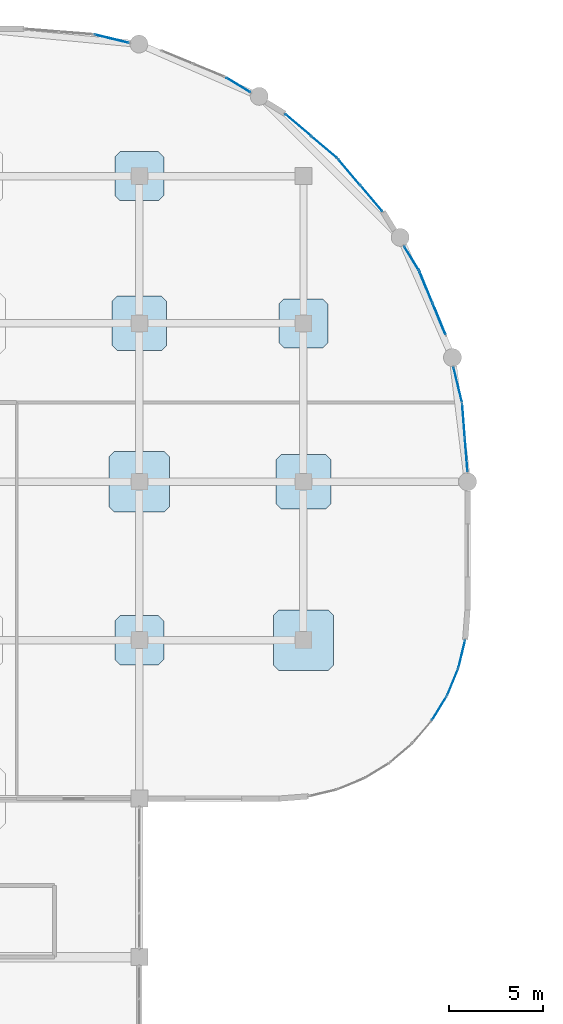
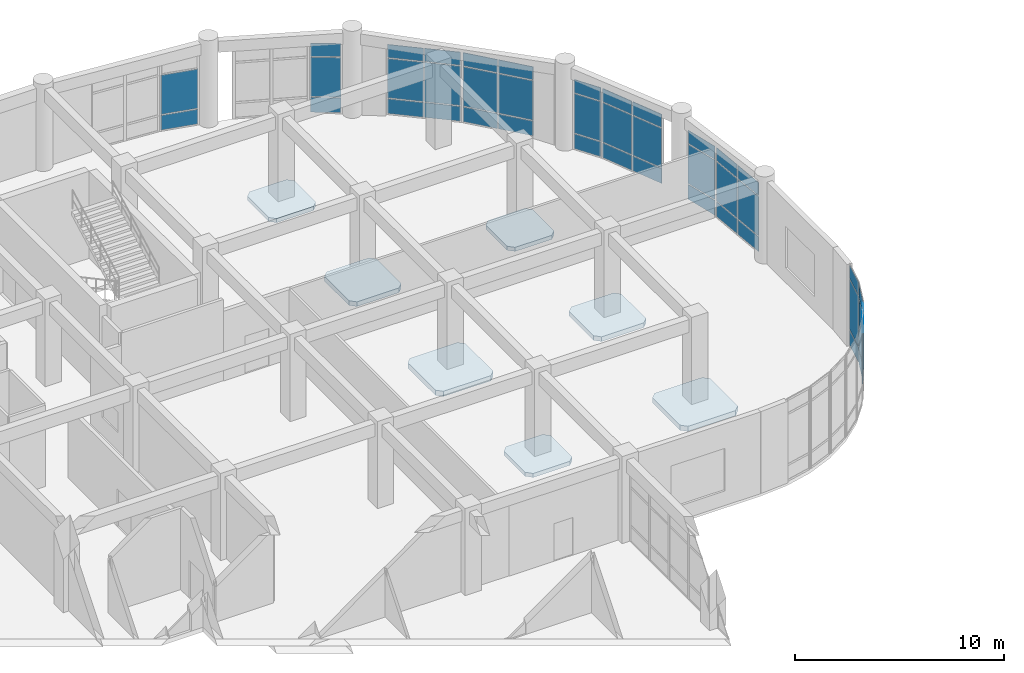
# One storey, part 97 of 120: 43 plates, 7 slabs, 11 elements without a shape of their own.
"""IFC4 building model written with IfcOpenShell, lengths in metres."""

import ifcopenshell
import ifcopenshell.guid

model = None  # the IFC model being written
_history = None  # IfcOwnerHistory: only IFC2X3 demands one
_inside = {}  # id of a spatial element -> (the spatial element, [elements in it])
_under = {}  # id of a project, library or spatial element -> (it, [spatial elements below it])
_declared = {}  # id of a project -> (the project, [libraries it declares])
_typed = {}  # id of a type object -> (the type object, [elements of that type])
_made_of = {}  # id of a material, layer set ... -> (it, [elements and type objects made of it])


def new_model(schema):
    """Start an empty IFC model of exactly this schema.

    Asked for "IFC4X3", IfcOpenShell would pick the latest addendum, in which some entities
    have other attributes; the version numbers below select the first issue.
    IFC2X3 requires an IfcOwnerHistory on every rooted entity: one is made here for all.
    """
    global model, _history
    if schema == "IFC4X3":
        model = ifcopenshell.file(schema_version=(4, 3, 0, 0))
    else:
        model = ifcopenshell.file(schema=schema)
    _inside.clear()
    _under.clear()
    _declared.clear()
    _typed.clear()
    _made_of.clear()
    _history = None
    if model.schema == "IFC2X3":
        org = make("IfcOrganization", Name="unknown")
        user = make(
            "IfcPersonAndOrganization",
            ThePerson=make("IfcPerson", FamilyName="unknown"),
            TheOrganization=org,
        )
        app = make(
            "IfcApplication",
            ApplicationDeveloper=org,
            Version="unknown",
            ApplicationFullName="unknown",
            ApplicationIdentifier="unknown",
        )
        _history = make(
            "IfcOwnerHistory",
            OwningUser=user,
            OwningApplication=app,
            ChangeAction="ADDED",
            CreationDate=0,
        )
    return model


def make(cls, **values):
    """One entity of the class cls with the attributes given. An attribute that is None is left unset."""
    return model.create_entity(
        cls, **{name: value for name, value in values.items() if value is not None}
    )


def rooted(cls, **values):
    """An entity with a GlobalId (a new one), such as an element, a storey or a relation."""
    return make(cls, GlobalId=ifcopenshell.guid.new(), OwnerHistory=_history, **values)


def si_unit(unit_type, name, prefix=None):
    """IfcSIUnit, for example si_unit("LENGTHUNIT", "METRE", prefix="MILLI")."""
    return make("IfcSIUnit", UnitType=unit_type, Prefix=prefix, Name=name)


def derived_unit(unit_type, elements):
    """IfcDerivedUnit: a product of units, each with its exponent."""
    return make(
        "IfcDerivedUnit",
        Elements=[
            make("IfcDerivedUnitElement", Unit=unit, Exponent=power)
            for unit, power in elements
        ],
        UnitType=unit_type,
    )


def assignment(units):
    """IfcUnitAssignment: the units of a project."""
    return None if units is None else make("IfcUnitAssignment", Units=units)


def point(xyz):
    """IfcCartesianPoint."""
    return None if xyz is None else make("IfcCartesianPoint", Coordinates=xyz)


def direction(xyz):
    """IfcDirection."""
    return None if xyz is None else make("IfcDirection", DirectionRatios=xyz)


def frame(location, z_axis=None, x_axis=None):
    """IfcAxis2Placement3D, a coordinate frame: its origin and axes. An axis left out is left unset."""
    return make(
        "IfcAxis2Placement3D",
        Location=point(location),
        Axis=direction(z_axis),
        RefDirection=direction(x_axis),
    )


def frame_2d(location, x_axis=None):
    """IfcAxis2Placement2D, a coordinate frame in the plane: its origin and x axis."""
    return make(
        "IfcAxis2Placement2D", Location=point(location), RefDirection=direction(x_axis)
    )


def origin():
    """The frame at (0, 0, 0) with its axes left unset."""
    return frame((0.0, 0.0, 0.0))


def origin_2d():
    """The frame at (0, 0) in the plane with its x axis left unset."""
    return frame_2d((0.0, 0.0))


def place(relative_to, where):
    """IfcLocalPlacement: puts the frame where relative to a parent placement (None: the world)."""
    return make(
        "IfcLocalPlacement", PlacementRelTo=relative_to, RelativePlacement=where
    )


def context(
    kind, dimensions, precision=None, world=None, true_north=None, identifier=None
):
    """IfcGeometricRepresentationContext, for example the 3D "Model" context."""
    return make(
        "IfcGeometricRepresentationContext",
        ContextIdentifier=identifier,
        ContextType=kind,
        CoordinateSpaceDimension=dimensions,
        Precision=precision,
        WorldCoordinateSystem=world,
        TrueNorth=true_north,
    )


def subcontext(parent, identifier, kind, view, scale=None):
    """IfcGeometricRepresentationSubContext, for example "Body" below "Model"."""
    return make(
        "IfcGeometricRepresentationSubContext",
        ContextIdentifier=identifier,
        ContextType=kind,
        ParentContext=parent,
        TargetScale=scale,
        TargetView=view,
    )


def project(units=None, contexts=None):
    """IfcProject with its units and contexts."""
    return rooted(
        "IfcProject",
        Name="project",
        RepresentationContexts=contexts,
        UnitsInContext=assignment(units),
    )


def spatial(cls, under=None, at=None, **own):
    """A site, building, storey or space (cls), placed at a placement, below another one or the project."""
    s = rooted(cls, ObjectPlacement=at, **own)
    if under is not None:
        _under.setdefault(under.id(), (under, []))[1].append(s)
    return s


def polyline(points):
    """IfcPolyline through the points."""
    return make("IfcPolyline", Points=[point(p) for p in points])


def profile(cls, at=None, kind="AREA", **sizes):
    """A parametric profile (cls). Its sizes go by their IFC names, for example OverallWidth=200.0."""
    return make(cls, ProfileType=kind, Position=at, **sizes)


def rectangle(**sizes):
    """IfcRectangleProfileDef."""
    return profile("IfcRectangleProfileDef", **sizes)


def outline(outer, holes=None, kind="AREA"):
    """IfcArbitraryClosedProfileDef: a profile drawn as a closed curve; with holes, ...WithVoids."""
    if holes is None:
        return make("IfcArbitraryClosedProfileDef", ProfileType=kind, OuterCurve=outer)
    return make(
        "IfcArbitraryProfileDefWithVoids",
        ProfileType=kind,
        OuterCurve=outer,
        InnerCurves=holes,
    )


def extrude(swept, where, along, depth):
    """IfcExtrudedAreaSolid: the profile swept, set in the frame where, extruded along a direction by depth."""
    return make(
        "IfcExtrudedAreaSolid",
        SweptArea=swept,
        Position=where,
        ExtrudedDirection=direction(along),
        Depth=depth,
    )


def shape(context_of_items, identifier, shape_type, items):
    """IfcShapeRepresentation: the items that make up one representation, for example the "Body"."""
    return make(
        "IfcShapeRepresentation",
        ContextOfItems=context_of_items,
        RepresentationIdentifier=identifier,
        RepresentationType=shape_type,
        Items=items,
    )


def material(Name=None, Category=None):
    """IfcMaterial."""
    return make("IfcMaterial", Name=Name, Category=Category)


def layer(
    of_material, thickness, ventilated=None, Name=None, Category=None, Priority=None
):
    """IfcMaterialLayer: one layer of a wall or slab, of a material (None: an air gap)."""
    return make(
        "IfcMaterialLayer",
        Material=of_material,
        LayerThickness=thickness,
        IsVentilated=ventilated,
        Name=Name,
        Category=Category,
        Priority=Priority,
    )


def layer_set(layers, Name=None):
    """IfcMaterialLayerSet."""
    return make("IfcMaterialLayerSet", MaterialLayers=layers, LayerSetName=Name)


def made_of(thing, what):
    """Note that an element or type object is made of a material, layer set ...; save() writes the relation."""
    if what is not None:
        _made_of.setdefault(what.id(), (what, []))[1].append(thing)
    return thing


def type_object(cls, material=None, **own):
    """A type object (cls), such as IfcWallType, which elements share."""
    return made_of(rooted(cls, **own), material)


def element(
    cls,
    number,
    at=None,
    inside=None,
    cuts=None,
    type_object=None,
    material=None,
    context=None,
    identifier="Body",
    shape_type=None,
    held_by="IfcProductDefinitionShape",
    body=None,
    shapes=None,
    **own,
):
    """One element of the class cls, such as IfcWall. Its Tag is "e" and its number.

    at: its placement. inside: the storey or other place that contains it. cuts: it is an
    opening in that element (IfcRelVoidsElement). A single representation is given by context,
    identifier, shape_type and body (its items); several are given by shapes. held_by: the class
    of the entity that holds the representations. save() writes the other relations.
    """
    e = rooted(cls, Tag="e%d" % number, ObjectPlacement=at, **own)
    if body is not None:
        shapes = [shape(context, identifier, shape_type, body)]
    if shapes is not None:
        e.Representation = make(held_by, Representations=shapes)
    if inside is not None:
        _inside.setdefault(inside.id(), (inside, []))[1].append(e)
    if cuts is not None:
        rooted(
            "IfcRelVoidsElement", RelatingBuildingElement=cuts, RelatedOpeningElement=e
        )
    if type_object is not None:
        _typed.setdefault(type_object.id(), (type_object, []))[1].append(e)
    return made_of(e, material)


def aggregate(whole, parts):
    """IfcRelAggregates: a whole, such as a stair, and the parts it consists of."""
    return rooted("IfcRelAggregates", RelatingObject=whole, RelatedObjects=parts)


def save(model, path):
    """Write the relations noted so far, then the file.

    IfcRelAggregates (storeys below a building ...), IfcRelContainedInSpatialStructure (elements
    in a storey), IfcRelDefinesByType, IfcRelAssociatesMaterial and IfcRelDeclares: one each for
    every whole, place, type object, material and project.
    """
    for whole, parts in _under.values():
        aggregate(whole, parts)
    for where, things in _inside.values():
        rooted(
            "IfcRelContainedInSpatialStructure",
            RelatedElements=things,
            RelatingStructure=where,
        )
    for kind, things in _typed.values():
        rooted("IfcRelDefinesByType", RelatedObjects=things, RelatingType=kind)
    for what, things in _made_of.values():
        rooted("IfcRelAssociatesMaterial", RelatedObjects=things, RelatingMaterial=what)
    for by, libraries in _declared.values():
        rooted("IfcRelDeclares", RelatingContext=by, RelatedDefinitions=libraries)
    model.write(path)


model = new_model("IFC4")

# Units and contexts
model_context = context("Model", 3, precision=1e-05, world=origin(), true_north=direction((0.0, 1.0)))
body_context = subcontext(model_context, "Body", "Model", "MODEL_VIEW")
ifc_project = project(units=[si_unit("LENGTHUNIT", "METRE"), si_unit("AREAUNIT", "SQUARE_METRE"), si_unit("VOLUMEUNIT", "CUBIC_METRE"), si_unit("PLANEANGLEUNIT", "RADIAN"), si_unit("MASSUNIT", "GRAM", prefix="KILO"), derived_unit("THERMALTRANSMITTANCEUNIT", [(si_unit("MASSUNIT", "GRAM", prefix="KILO"), 1), (si_unit("TIMEUNIT", "SECOND"), -3), (si_unit("THERMODYNAMICTEMPERATUREUNIT", "KELVIN"), -1)])], contexts=[model_context])

# Site, building, storey
site_placement = place(None, origin())
site = spatial("IfcSite", under=ifc_project, at=site_placement, CompositionType="ELEMENT")
building_placement = place(site_placement, origin())
building = spatial("IfcBuilding", under=site, at=building_placement, Name="Qinzheling Arcade Emporium", CompositionType="ELEMENT")
storey_placement = place(building_placement, frame((0.0, 0.0, 11.39990234375)))
storey = spatial("IfcBuildingStorey", under=building, at=storey_placement, Name="L03", CompositionType="ELEMENT", Elevation=11.39990234375)

# Slabs
ifc_material_1 = material(Name="Concrete C40", Category="concrete")
ifc_layer_1 = layer(ifc_material_1, 0.235107421875, Name="Concrete C40", Category="concrete")
ifc_layer_set_1 = layer_set([ifc_layer_1], Name="Concrete C40")
slab_type_1 = type_object("IfcSlabType", Name="Column Head Drop Panel 2600x2600x235 C40", PredefinedType="USERDEFINED", material=ifc_layer_set_1)
slab_1_placement = place(storey_placement, frame((0.0, 0.0, -0.5)))
element("IfcSlab", 1, at=slab_1_placement, inside=storey, type_object=slab_type_1, Name="Column Drop Panel DP-L03-16-K", ObjectType="DROP_PANEL", PredefinedType="USERDEFINED", context=body_context, shape_type="SweptSolid", body=[
    extrude(outline(polyline([(129.47998046875, 80.89990234375), (131.52001953125, 80.89990234375), (131.800048828125, 81.179931640625), (131.800048828125, 83.219970703125), (131.52001953125, 83.5), (129.47998046875, 83.5), (129.199951171875, 83.219970703125), (129.199951171875, 81.179931640625), (129.47998046875, 80.89990234375)])), origin(), (0.0, 0.0, 1.0), 0.235107421875),
])
slab_2_placement = place(storey_placement, frame((0.0, 0.0, -0.5)))
element("IfcSlab", 2, at=slab_2_placement, inside=storey, type_object=slab_type_1, Name="Column Drop Panel DP-L03-16-N", ObjectType="DROP_PANEL", PredefinedType="USERDEFINED", context=body_context, shape_type="SweptSolid", body=[
    extrude(outline(polyline([(129.47998046875, 105.5), (131.52001953125, 105.5), (131.800048828125, 105.780029296875), (131.800048828125, 107.820068359375), (131.52001953125, 108.10009765625), (129.47998046875, 108.10009765625), (129.199951171875, 107.820068359375), (129.199951171875, 105.780029296875), (129.47998046875, 105.5)])), origin(), (0.0, 0.0, 1.0), 0.235107421875),
])
slab_3_placement = place(storey_placement, frame((0.0, 0.0, -0.5)))
element("IfcSlab", 3, at=slab_3_placement, inside=storey, type_object=slab_type_1, Name="Column Drop Panel DP-L03-17-M", ObjectType="DROP_PANEL", PredefinedType="USERDEFINED", context=body_context, shape_type="SweptSolid", body=[
    extrude(outline(polyline([(138.179931640625, 97.699951171875), (140.219970703125, 97.699951171875), (140.5, 97.97998046875), (140.5, 100.02001953125), (140.219970703125, 100.300048828125), (138.179931640625, 100.300048828125), (137.89990234375, 100.02001953125), (137.89990234375, 97.97998046875), (138.179931640625, 97.699951171875)])), origin(), (0.0, 0.0, 1.0), 0.235107421875),
])
ifc_layer_2 = layer(ifc_material_1, 0.27001953125, Name="Concrete C40", Category="concrete")
ifc_layer_set_2 = layer_set([ifc_layer_2], Name="Concrete C40")
slab_type_2 = type_object("IfcSlabType", Name="Column Head Drop Panel 2900x2900x270 C40", PredefinedType="USERDEFINED", material=ifc_layer_set_2)
slab_4_placement = place(storey_placement, frame((0.0, 0.0, -0.534912109375)))
element("IfcSlab", 4, at=slab_4_placement, inside=storey, type_object=slab_type_2, Name="Column Drop Panel DP-L03-16-M", ObjectType="DROP_PANEL", PredefinedType="USERDEFINED", context=body_context, shape_type="SweptSolid", body=[
    extrude(outline(polyline([(129.330078125, 97.550048828125), (131.669921875, 97.550048828125), (131.949951171875, 97.830078125), (131.949951171875, 100.169921875), (131.669921875, 100.449951171875), (129.330078125, 100.449951171875), (129.050048828125, 100.169921875), (129.050048828125, 97.830078125), (129.330078125, 97.550048828125)])), origin(), (0.0, 0.0, 1.0), 0.27001953125),
])
slab_5_placement = place(storey_placement, frame((0.0, 0.0, -0.534912109375)))
element("IfcSlab", 5, at=slab_5_placement, inside=storey, type_object=slab_type_2, Name="Column Drop Panel DP-L03-17-L", ObjectType="DROP_PANEL", PredefinedType="USERDEFINED", context=body_context, shape_type="SweptSolid", body=[
    extrude(outline(polyline([(138.030029296875, 89.14990234375), (140.3701171875, 89.14990234375), (140.64990234375, 89.429931640625), (140.64990234375, 91.77001953125), (140.3701171875, 92.050048828125), (138.030029296875, 92.050048828125), (137.75, 91.77001953125), (137.75, 89.429931640625), (138.030029296875, 89.14990234375)])), origin(), (0.0, 0.0, 1.0), 0.27001953125),
])
ifc_layer_3 = layer(ifc_material_1, 0.300048828125, Name="Concrete C40", Category="concrete")
ifc_layer_set_3 = layer_set([ifc_layer_3], Name="Concrete C40")
slab_type_3 = type_object("IfcSlabType", Name="Column Head Drop Panel 3200x3200x300 C40", PredefinedType="USERDEFINED", material=ifc_layer_set_3)
slab_6_placement = place(storey_placement, frame((0.0, 0.0, -0.56494140625)))
element("IfcSlab", 6, at=slab_6_placement, inside=storey, type_object=slab_type_3, Name="Column Drop Panel DP-L03-16-L", ObjectType="DROP_PANEL", PredefinedType="USERDEFINED", context=body_context, shape_type="SweptSolid", body=[
    extrude(outline(polyline([(129.179931640625, 89.0), (131.820068359375, 89.0), (132.10009765625, 89.280029296875), (132.10009765625, 91.919921875), (131.820068359375, 92.199951171875), (129.179931640625, 92.199951171875), (128.89990234375, 91.919921875), (128.89990234375, 89.280029296875), (129.179931640625, 89.0)])), origin(), (0.0, 0.0, 1.0), 0.300048828125),
])
slab_7_placement = place(storey_placement, frame((0.0, 0.0, -0.56494140625)))
element("IfcSlab", 7, at=slab_7_placement, inside=storey, type_object=slab_type_3, Name="Column Drop Panel DP-L03-17-K", ObjectType="DROP_PANEL", PredefinedType="USERDEFINED", context=body_context, shape_type="SweptSolid", body=[
    extrude(outline(polyline([(137.8798828125, 80.60009765625), (140.52001953125, 80.60009765625), (140.800048828125, 80.8798828125), (140.800048828125, 83.52001953125), (140.52001953125, 83.800048828125), (137.8798828125, 83.800048828125), (137.60009765625, 83.52001953125), (137.60009765625, 80.8798828125), (137.8798828125, 80.60009765625)])), origin(), (0.0, 0.0, 1.0), 0.300048828125),
])

# Curtain wall, plates
ifc_material_2 = material(Name="Anodised aluminium and solar-control double glazing", Category="aluminium")
ifc_layer_4 = layer(ifc_material_2, 0.159912109375, Name="Anodised aluminium and solar-control double glazing", Category="aluminium")
ifc_layer_set_4 = layer_set([ifc_layer_4], Name="Anodised aluminium and solar-control double glazing")
curtain_wall_type = type_object("IfcCurtainWallType", Name="Curved Ribbon Sales Curtain Wall", PredefinedType="NOTDEFINED", material=ifc_layer_set_4)
curtain_wall_1_placement = place(storey_placement, origin())
curtain_wall_1 = element("IfcCurtainWall", 8, at=curtain_wall_1_placement, inside=storey, type_object=curtain_wall_type, Name="Curtain Wall CW-L03-190", PredefinedType="NOTDEFINED")
ifc_material_3 = material(Name="Laminated solar-control double glazing", Category="glass")
ifc_layer_5 = layer(ifc_material_3, 0.02099609375, Name="Laminated solar-control double glazing", Category="glass")
ifc_layer_set_5 = layer_set([ifc_layer_5], Name="Laminated solar-control double glazing")
plate_type_1 = type_object("IfcPlateType", Name="Low-E Double Glazed Curtain Panel 21mm", PredefinedType="CURTAIN_PANEL", material=ifc_layer_set_5)
plate_1_placement = place(storey_placement, frame((147.37939453125, 95.739501953125, 0.06005859375), z_axis=(0.0, 0.0, 1.0), x_axis=(0.233621036939, -0.972327728237, 0.0)))
plate_1 = element("IfcPlate", 9, at=plate_1_placement, type_object=plate_type_1, Name="CW02 panel 1.1", PredefinedType="CURTAIN_PANEL", context=body_context, shape_type="SweptSolid", body=[
    extrude(rectangle(XDim=1.86181640625, YDim=0.02099609375, at=origin_2d()), origin(), (0.0, 0.0, 1.0), 0.860107421875),
])
plate_2_placement = place(storey_placement, frame((147.37939453125, 95.739501953125, 0.980224609375), z_axis=(0.0, 0.0, 1.0), x_axis=(0.233621036939, -0.972327728237, 0.0)))
plate_2 = element("IfcPlate", 10, at=plate_2_placement, type_object=plate_type_1, Name="CW02 panel 1.2", PredefinedType="CURTAIN_PANEL", context=body_context, shape_type="SweptSolid", body=[
    extrude(rectangle(XDim=1.86181640625, YDim=0.02099609375, at=origin_2d()), origin(), (0.0, 0.0, 1.0), 2.294921875),
])
plate_3_placement = place(storey_placement, frame((147.37939453125, 95.739501953125, 3.3349609375), z_axis=(0.0, 0.0, 1.0), x_axis=(0.233621036939, -0.972327728237, 0.0)))
plate_3 = element("IfcPlate", 11, at=plate_3_placement, type_object=plate_type_1, Name="CW02 panel 1.3", PredefinedType="CURTAIN_PANEL", context=body_context, shape_type="SweptSolid", body=[
    extrude(rectangle(XDim=1.86181640625, YDim=0.02099609375, at=origin_2d()), origin(), (0.0, 0.0, 1.0), 0.760009765625),
])
aggregate(curtain_wall_1, [plate_1, plate_2, plate_3])

curtain_wall_2_placement = place(storey_placement, origin())
curtain_wall_2 = element("IfcCurtainWall", 12, at=curtain_wall_2_placement, inside=storey, type_object=curtain_wall_type, Name="Curtain Wall CW-L03-191", PredefinedType="NOTDEFINED")
ifc_layer_6 = layer(ifc_material_3, 0.02197265625, Name="Laminated solar-control double glazing", Category="glass")
ifc_layer_set_6 = layer_set([ifc_layer_6], Name="Laminated solar-control double glazing")
plate_type_2 = type_object("IfcPlateType", Name="Low-E Double Glazed Curtain Panel 22mm", PredefinedType="CURTAIN_PANEL", material=ifc_layer_set_6)
plate_4_placement = place(storey_placement, frame((147.684326171875, 93.842041015625, 0.06005859375), z_axis=(0.0, 0.0, 1.0), x_axis=(0.078376222365, -0.996923852542, 0.0)))
plate_4 = element("IfcPlate", 13, at=plate_4_placement, type_object=plate_type_2, Name="CW02 panel 1.1", PredefinedType="CURTAIN_PANEL", context=body_context, shape_type="SweptSolid", body=[
    extrude(rectangle(XDim=1.753662109375, YDim=0.02197265625, at=origin_2d()), origin(), (0.0, 0.0, 1.0), 0.860107421875),
])
plate_5_placement = place(storey_placement, frame((147.684326171875, 93.842041015625, 0.980224609375), z_axis=(0.0, 0.0, 1.0), x_axis=(0.078376222365, -0.996923852542, 0.0)))
plate_5 = element("IfcPlate", 14, at=plate_5_placement, type_object=plate_type_2, Name="CW02 panel 1.2", PredefinedType="CURTAIN_PANEL", context=body_context, shape_type="SweptSolid", body=[
    extrude(rectangle(XDim=1.753662109375, YDim=0.02197265625, at=origin_2d()), origin(), (0.0, 0.0, 1.0), 2.294921875),
])
plate_6_placement = place(storey_placement, frame((147.684326171875, 93.842041015625, 3.3349609375), z_axis=(0.0, 0.0, 1.0), x_axis=(0.078376222365, -0.996923852542, 0.0)))
plate_6 = element("IfcPlate", 15, at=plate_6_placement, type_object=plate_type_2, Name="CW02 panel 1.3", PredefinedType="CURTAIN_PANEL", context=body_context, shape_type="SweptSolid", body=[
    extrude(rectangle(XDim=1.753662109375, YDim=0.02197265625, at=origin_2d()), origin(), (0.0, 0.0, 1.0), 0.760009765625),
])
plate_7_placement = place(storey_placement, frame((147.82666015625, 92.033935546875, 0.06005859375), z_axis=(0.0, 0.0, 1.0), x_axis=(0.078376222365, -0.996923852542, 0.0)))
plate_7 = element("IfcPlate", 16, at=plate_7_placement, type_object=plate_type_2, Name="CW02 panel 2.1", PredefinedType="CURTAIN_PANEL", context=body_context, shape_type="SweptSolid", body=[
    extrude(rectangle(XDim=1.753662109375, YDim=0.02197265625, at=origin_2d()), origin(), (0.0, 0.0, 1.0), 0.860107421875),
])
plate_8_placement = place(storey_placement, frame((147.82666015625, 92.033935546875, 0.980224609375), z_axis=(0.0, 0.0, 1.0), x_axis=(0.078376222365, -0.996923852542, 0.0)))
plate_8 = element("IfcPlate", 17, at=plate_8_placement, type_object=plate_type_2, Name="CW02 panel 2.2", PredefinedType="CURTAIN_PANEL", context=body_context, shape_type="SweptSolid", body=[
    extrude(rectangle(XDim=1.753662109375, YDim=0.02197265625, at=origin_2d()), origin(), (0.0, 0.0, 1.0), 2.294921875),
])
plate_9_placement = place(storey_placement, frame((147.82666015625, 92.033935546875, 3.3349609375), z_axis=(0.0, 0.0, 1.0), x_axis=(0.078376222365, -0.996923852542, 0.0)))
plate_9 = element("IfcPlate", 18, at=plate_9_placement, type_object=plate_type_2, Name="CW02 panel 2.3", PredefinedType="CURTAIN_PANEL", context=body_context, shape_type="SweptSolid", body=[
    extrude(rectangle(XDim=1.753662109375, YDim=0.02197265625, at=origin_2d()), origin(), (0.0, 0.0, 1.0), 0.760009765625),
])
aggregate(curtain_wall_2, [plate_4, plate_5, plate_6, plate_7, plate_8, plate_9])

curtain_wall_3_placement = place(storey_placement, origin())
curtain_wall_3 = element("IfcCurtainWall", 19, at=curtain_wall_3_placement, inside=storey, type_object=curtain_wall_type, Name="Curtain Wall CW-L03-192", PredefinedType="NOTDEFINED")
ifc_layer_7 = layer(ifc_material_3, 0.02392578125, Name="Laminated solar-control double glazing", Category="glass")
ifc_layer_set_7 = layer_set([ifc_layer_7], Name="Laminated solar-control double glazing")
plate_type_3 = type_object("IfcPlateType", Name="Low-E Double Glazed Curtain Panel 24mm", PredefinedType="CURTAIN_PANEL", material=ifc_layer_set_7)
plate_10_placement = place(storey_placement, frame((147.593994140625, 81.472900390625, 0.06005859375), z_axis=(0.0, 0.0, 1.0), x_axis=(-0.233228342659, -0.972421996964, 0.0)))
plate_10 = element("IfcPlate", 20, at=plate_10_placement, type_object=plate_type_3, Name="CW02 panel 1.1", PredefinedType="CURTAIN_PANEL", context=body_context, shape_type="SweptSolid", body=[
    extrude(rectangle(XDim=1.44921875, YDim=0.02392578125, at=origin_2d()), origin(), (0.0, 0.0, 1.0), 0.860107421875),
])
plate_11_placement = place(storey_placement, frame((147.593994140625, 81.472900390625, 0.97998046875), z_axis=(0.0, 0.0, 1.0), x_axis=(-0.233228342659, -0.972421996964, 0.0)))
plate_11 = element("IfcPlate", 21, at=plate_11_placement, type_object=plate_type_3, Name="CW02 panel 1.2", PredefinedType="CURTAIN_PANEL", context=body_context, shape_type="SweptSolid", body=[
    extrude(rectangle(XDim=1.44921875, YDim=0.02392578125, at=origin_2d()), origin(), (0.0, 0.0, 1.0), 2.929931640625),
])
plate_12_placement = place(storey_placement, frame((147.593994140625, 81.472900390625, 3.97021484375), z_axis=(0.0, 0.0, 1.0), x_axis=(-0.233228342659, -0.972421996964, 0.0)))
plate_12 = element("IfcPlate", 22, at=plate_12_placement, type_object=plate_type_3, Name="CW02 panel 1.3", PredefinedType="CURTAIN_PANEL", context=body_context, shape_type="SweptSolid", body=[
    extrude(rectangle(XDim=1.44921875, YDim=0.02392578125, at=origin_2d()), origin(), (0.0, 0.0, 1.0), 0.760009765625),
])
aggregate(curtain_wall_3, [plate_10, plate_11, plate_12])

curtain_wall_4_placement = place(storey_placement, origin())
curtain_wall_4 = element("IfcCurtainWall", 23, at=curtain_wall_4_placement, inside=storey, type_object=curtain_wall_type, Name="Curtain Wall CW-L03-193", PredefinedType="NOTDEFINED")
ifc_layer_8 = layer(ifc_material_3, 0.02490234375, Name="Laminated solar-control double glazing", Category="glass")
ifc_layer_set_8 = layer_set([ifc_layer_8], Name="Laminated solar-control double glazing")
plate_type_4 = type_object("IfcPlateType", Name="Low-E Double Glazed Curtain Panel 25mm", PredefinedType="CURTAIN_PANEL", material=ifc_layer_set_8)
plate_13_placement = place(storey_placement, frame((147.110595703125, 79.985107421875, 0.06005859375), z_axis=(0.0, 0.0, 1.0), x_axis=(-0.382895684967, -0.923791586038, 0.0)))
plate_13 = element("IfcPlate", 24, at=plate_13_placement, type_object=plate_type_4, Name="CW02 panel 1.1", PredefinedType="CURTAIN_PANEL", context=body_context, shape_type="SweptSolid", body=[
    extrude(rectangle(XDim=1.44970703125, YDim=0.02490234375, at=origin_2d()), origin(), (0.0, 0.0, 1.0), 0.860107421875),
])
plate_14_placement = place(storey_placement, frame((147.110595703125, 79.985107421875, 0.97998046875), z_axis=(0.0, 0.0, 1.0), x_axis=(-0.382895684967, -0.923791586038, 0.0)))
plate_14 = element("IfcPlate", 25, at=plate_14_placement, type_object=plate_type_4, Name="CW02 panel 1.2", PredefinedType="CURTAIN_PANEL", context=body_context, shape_type="SweptSolid", body=[
    extrude(rectangle(XDim=1.44970703125, YDim=0.02490234375, at=origin_2d()), origin(), (0.0, 0.0, 1.0), 2.929931640625),
])
plate_15_placement = place(storey_placement, frame((147.110595703125, 79.985107421875, 3.97021484375), z_axis=(0.0, 0.0, 1.0), x_axis=(-0.382895684967, -0.923791586038, 0.0)))
plate_15 = element("IfcPlate", 26, at=plate_15_placement, type_object=plate_type_4, Name="CW02 panel 1.3", PredefinedType="CURTAIN_PANEL", context=body_context, shape_type="SweptSolid", body=[
    extrude(rectangle(XDim=1.44970703125, YDim=0.02490234375, at=origin_2d()), origin(), (0.0, 0.0, 1.0), 0.760009765625),
])
aggregate(curtain_wall_4, [plate_13, plate_14, plate_15])

curtain_wall_5_placement = place(storey_placement, origin())
curtain_wall_5 = element("IfcCurtainWall", 27, at=curtain_wall_5_placement, inside=storey, type_object=curtain_wall_type, Name="Curtain Wall CW-L03-194", PredefinedType="NOTDEFINED")
ifc_layer_9 = layer(ifc_material_3, 0.02587890625, Name="Laminated solar-control double glazing", Category="glass")
ifc_layer_set_9 = layer_set([ifc_layer_9], Name="Laminated solar-control double glazing")
plate_type_5 = type_object("IfcPlateType", Name="Low-E Double Glazed Curtain Panel 26mm", PredefinedType="CURTAIN_PANEL", material=ifc_layer_set_9)
plate_16_placement = place(storey_placement, frame((146.39990234375, 78.591064453125, 0.97998046875), z_axis=(0.0, 0.0, 1.0), x_axis=(-0.522532172191, -0.852619568756, 0.0)))
plate_16 = element("IfcPlate", 28, at=plate_16_placement, type_object=plate_type_5, Name="CW02 panel 1.2", PredefinedType="CURTAIN_PANEL", context=body_context, shape_type="SweptSolid", body=[
    extrude(rectangle(XDim=1.44921875, YDim=0.02587890625, at=origin_2d()), origin(), (0.0, 0.0, 1.0), 2.929931640625),
])
plate_17_placement = place(storey_placement, frame((146.39990234375, 78.591064453125, 3.97021484375), z_axis=(0.0, 0.0, 1.0), x_axis=(-0.522532172191, -0.852619568756, 0.0)))
plate_17 = element("IfcPlate", 29, at=plate_17_placement, type_object=plate_type_5, Name="CW02 panel 1.3", PredefinedType="CURTAIN_PANEL", context=body_context, shape_type="SweptSolid", body=[
    extrude(rectangle(XDim=1.44921875, YDim=0.02587890625, at=origin_2d()), origin(), (0.0, 0.0, 1.0), 0.760009765625),
])
aggregate(curtain_wall_5, [plate_16, plate_17])

curtain_wall_6_placement = place(storey_placement, origin())
curtain_wall_6 = element("IfcCurtainWall", 30, at=curtain_wall_6_placement, inside=storey, type_object=curtain_wall_type, Name="Curtain Wall CW-L03-183", PredefinedType="NOTDEFINED")
ifc_layer_10 = layer(ifc_material_3, 0.031005859375, Name="Laminated solar-control double glazing", Category="glass")
ifc_layer_set_10 = layer_set([ifc_layer_10], Name="Laminated solar-control double glazing")
plate_type_6 = type_object("IfcPlateType", Name="Low-E Double Glazed Curtain Panel 31mm", PredefinedType="CURTAIN_PANEL", material=ifc_layer_set_10)
plate_18_placement = place(storey_placement, frame((129.03955078125, 114.07958984375, 0.06005859375), z_axis=(0.0, 0.0, 1.0), x_axis=(0.972327728237, -0.233621036939, 0.0)))
plate_18 = element("IfcPlate", 31, at=plate_18_placement, type_object=plate_type_6, Name="CW02 panel 1.1", PredefinedType="CURTAIN_PANEL", context=body_context, shape_type="SweptSolid", body=[
    extrude(rectangle(XDim=1.86181640625, YDim=0.031005859375, at=origin_2d()), origin(), (0.0, 0.0, 1.0), 0.860107421875),
])
plate_19_placement = place(storey_placement, frame((129.03955078125, 114.07958984375, 0.980224609375), z_axis=(0.0, 0.0, 1.0), x_axis=(0.972327728237, -0.233621036939, 0.0)))
plate_19 = element("IfcPlate", 32, at=plate_19_placement, type_object=plate_type_6, Name="CW02 panel 1.2", PredefinedType="CURTAIN_PANEL", context=body_context, shape_type="SweptSolid", body=[
    extrude(rectangle(XDim=1.86181640625, YDim=0.031005859375, at=origin_2d()), origin(), (0.0, 0.0, 1.0), 2.294921875),
])
aggregate(curtain_wall_6, [plate_18, plate_19])

curtain_wall_7_placement = place(storey_placement, origin())
curtain_wall_7 = element("IfcCurtainWall", 33, at=curtain_wall_7_placement, inside=storey, type_object=curtain_wall_type, Name="Curtain Wall CW-L03-185", PredefinedType="NOTDEFINED")
ifc_layer_11 = layer(ifc_material_3, 0.033935546875, Name="Laminated solar-control double glazing", Category="glass")
ifc_layer_set_11 = layer_set([ifc_layer_11], Name="Laminated solar-control double glazing")
plate_type_7 = type_object("IfcPlateType", Name="Low-E Double Glazed Curtain Panel 34mm", PredefinedType="CURTAIN_PANEL", material=ifc_layer_set_11)
plate_20_placement = place(storey_placement, frame((135.739013671875, 111.62841796875, 0.06005859375), z_axis=(0.0, 0.0, 1.0), x_axis=(0.852683550912, -0.522427757689, 0.0)))
plate_20 = element("IfcPlate", 34, at=plate_20_placement, type_object=plate_type_7, Name="CW02 panel 1.1", PredefinedType="CURTAIN_PANEL", context=body_context, shape_type="SweptSolid", body=[
    extrude(rectangle(XDim=1.451416015625, YDim=0.033935546875, at=origin_2d()), origin(), (0.0, 0.0, 1.0), 0.860107421875),
])
plate_21_placement = place(storey_placement, frame((135.739013671875, 111.62841796875, 0.980224609375), z_axis=(0.0, 0.0, 1.0), x_axis=(0.852683550912, -0.522427757689, 0.0)))
plate_21 = element("IfcPlate", 35, at=plate_21_placement, type_object=plate_type_7, Name="CW02 panel 1.2", PredefinedType="CURTAIN_PANEL", context=body_context, shape_type="SweptSolid", body=[
    extrude(rectangle(XDim=1.451416015625, YDim=0.033935546875, at=origin_2d()), origin(), (0.0, 0.0, 1.0), 2.294921875),
])
plate_22_placement = place(storey_placement, frame((135.739013671875, 111.62841796875, 3.3349609375), z_axis=(0.0, 0.0, 1.0), x_axis=(0.852683550912, -0.522427757689, 0.0)))
plate_22 = element("IfcPlate", 36, at=plate_22_placement, type_object=plate_type_7, Name="CW02 panel 1.3", PredefinedType="CURTAIN_PANEL", context=body_context, shape_type="SweptSolid", body=[
    extrude(rectangle(XDim=1.451416015625, YDim=0.033935546875, at=origin_2d()), origin(), (0.0, 0.0, 1.0), 0.760009765625),
])
aggregate(curtain_wall_7, [plate_20, plate_21, plate_22])

curtain_wall_8_placement = place(storey_placement, origin())
curtain_wall_8 = element("IfcCurtainWall", 37, at=curtain_wall_8_placement, inside=storey, type_object=curtain_wall_type, Name="Curtain Wall CW-L03-186", PredefinedType="NOTDEFINED")
ifc_layer_12 = layer(ifc_material_3, 0.035888671875, Name="Laminated solar-control double glazing", Category="glass")
ifc_layer_set_12 = layer_set([ifc_layer_12], Name="Laminated solar-control double glazing")
plate_type_8 = type_object("IfcPlateType", Name="Low-E Double Glazed Curtain Panel 36mm", PredefinedType="CURTAIN_PANEL", material=ifc_layer_set_12)
plate_23_placement = place(storey_placement, frame((138.92529296875, 109.50341796875, 0.06005859375), z_axis=(0.0, 0.0, 1.0), x_axis=(0.760384838253, -0.649472784461, 0.0)))
plate_23 = element("IfcPlate", 38, at=plate_23_placement, type_object=plate_type_8, Name="CW02 panel 1.1", PredefinedType="CURTAIN_PANEL", context=body_context, shape_type="SweptSolid", body=[
    extrude(rectangle(XDim=1.75390625, YDim=0.035888671875, at=origin_2d()), origin(), (0.0, 0.0, 1.0), 0.860107421875),
])
plate_24_placement = place(storey_placement, frame((138.92529296875, 109.50341796875, 0.980224609375), z_axis=(0.0, 0.0, 1.0), x_axis=(0.760384838253, -0.649472784461, 0.0)))
plate_24 = element("IfcPlate", 39, at=plate_24_placement, type_object=plate_type_8, Name="CW02 panel 1.2", PredefinedType="CURTAIN_PANEL", context=body_context, shape_type="SweptSolid", body=[
    extrude(rectangle(XDim=1.75390625, YDim=0.035888671875, at=origin_2d()), origin(), (0.0, 0.0, 1.0), 2.294921875),
])
plate_25_placement = place(storey_placement, frame((138.92529296875, 109.50341796875, 3.3349609375), z_axis=(0.0, 0.0, 1.0), x_axis=(0.760384838253, -0.649472784461, 0.0)))
plate_25 = element("IfcPlate", 40, at=plate_25_placement, type_object=plate_type_8, Name="CW02 panel 1.3", PredefinedType="CURTAIN_PANEL", context=body_context, shape_type="SweptSolid", body=[
    extrude(rectangle(XDim=1.75390625, YDim=0.035888671875, at=origin_2d()), origin(), (0.0, 0.0, 1.0), 0.760009765625),
])
plate_26_placement = place(storey_placement, frame((140.3046875, 108.325439453125, 0.06005859375), z_axis=(0.0, 0.0, 1.0), x_axis=(0.760384838253, -0.649472784461, 0.0)))
plate_26 = element("IfcPlate", 41, at=plate_26_placement, type_object=plate_type_8, Name="CW02 panel 2.1", PredefinedType="CURTAIN_PANEL", context=body_context, shape_type="SweptSolid", body=[
    extrude(rectangle(XDim=1.75390625, YDim=0.035888671875, at=origin_2d()), origin(), (0.0, 0.0, 1.0), 0.860107421875),
])
plate_27_placement = place(storey_placement, frame((140.3046875, 108.325439453125, 0.980224609375), z_axis=(0.0, 0.0, 1.0), x_axis=(0.760384838253, -0.649472784461, 0.0)))
plate_27 = element("IfcPlate", 42, at=plate_27_placement, type_object=plate_type_8, Name="CW02 panel 2.2", PredefinedType="CURTAIN_PANEL", context=body_context, shape_type="SweptSolid", body=[
    extrude(rectangle(XDim=1.75390625, YDim=0.035888671875, at=origin_2d()), origin(), (0.0, 0.0, 1.0), 2.294921875),
])
plate_28_placement = place(storey_placement, frame((140.3046875, 108.325439453125, 3.3349609375), z_axis=(0.0, 0.0, 1.0), x_axis=(0.760384838253, -0.649472784461, 0.0)))
plate_28 = element("IfcPlate", 43, at=plate_28_placement, type_object=plate_type_8, Name="CW02 panel 2.3", PredefinedType="CURTAIN_PANEL", context=body_context, shape_type="SweptSolid", body=[
    extrude(rectangle(XDim=1.75390625, YDim=0.035888671875, at=origin_2d()), origin(), (0.0, 0.0, 1.0), 0.760009765625),
])
aggregate(curtain_wall_8, [plate_23, plate_24, plate_25, plate_26, plate_27, plate_28])

curtain_wall_9_placement = place(storey_placement, origin())
curtain_wall_9 = element("IfcCurtainWall", 44, at=curtain_wall_9_placement, inside=storey, type_object=curtain_wall_type, Name="Curtain Wall CW-L03-187", PredefinedType="NOTDEFINED")
ifc_layer_13 = layer(ifc_material_3, 0.0380859375, Name="Laminated solar-control double glazing", Category="glass")
ifc_layer_set_13 = layer_set([ifc_layer_13], Name="Laminated solar-control double glazing")
plate_type_9 = type_object("IfcPlateType", Name="Low-E Double Glazed Curtain Panel 38mm", PredefinedType="CURTAIN_PANEL", material=ifc_layer_set_13)
plate_29_placement = place(storey_placement, frame((141.62548828125, 107.004638671875, 0.06005859375), z_axis=(0.0, 0.0, 1.0), x_axis=(0.649472784461, -0.760384838253, 0.0)))
plate_29 = element("IfcPlate", 45, at=plate_29_placement, type_object=plate_type_9, Name="CW02 panel 1.1", PredefinedType="CURTAIN_PANEL", context=body_context, shape_type="SweptSolid", body=[
    extrude(rectangle(XDim=1.75390625, YDim=0.0380859375, at=origin_2d()), origin(), (0.0, 0.0, 1.0), 0.860107421875),
])
plate_30_placement = place(storey_placement, frame((141.62548828125, 107.004638671875, 0.980224609375), z_axis=(0.0, 0.0, 1.0), x_axis=(0.649472784461, -0.760384838253, 0.0)))
plate_30 = element("IfcPlate", 46, at=plate_30_placement, type_object=plate_type_9, Name="CW02 panel 1.2", PredefinedType="CURTAIN_PANEL", context=body_context, shape_type="SweptSolid", body=[
    extrude(rectangle(XDim=1.75390625, YDim=0.0380859375, at=origin_2d()), origin(), (0.0, 0.0, 1.0), 2.294921875),
])
plate_31_placement = place(storey_placement, frame((141.62548828125, 107.004638671875, 3.3349609375), z_axis=(0.0, 0.0, 1.0), x_axis=(0.649472784461, -0.760384838253, 0.0)))
plate_31 = element("IfcPlate", 47, at=plate_31_placement, type_object=plate_type_9, Name="CW02 panel 1.3", PredefinedType="CURTAIN_PANEL", context=body_context, shape_type="SweptSolid", body=[
    extrude(rectangle(XDim=1.75390625, YDim=0.0380859375, at=origin_2d()), origin(), (0.0, 0.0, 1.0), 0.760009765625),
])
plate_32_placement = place(storey_placement, frame((142.803466796875, 105.62548828125, 0.06005859375), z_axis=(0.0, 0.0, 1.0), x_axis=(0.649472784461, -0.760384838253, 0.0)))
plate_32 = element("IfcPlate", 48, at=plate_32_placement, type_object=plate_type_9, Name="CW02 panel 2.1", PredefinedType="CURTAIN_PANEL", context=body_context, shape_type="SweptSolid", body=[
    extrude(rectangle(XDim=1.75390625, YDim=0.0380859375, at=origin_2d()), origin(), (0.0, 0.0, 1.0), 0.860107421875),
])
plate_33_placement = place(storey_placement, frame((142.803466796875, 105.62548828125, 0.980224609375), z_axis=(0.0, 0.0, 1.0), x_axis=(0.649472784461, -0.760384838253, 0.0)))
plate_33 = element("IfcPlate", 49, at=plate_33_placement, type_object=plate_type_9, Name="CW02 panel 2.2", PredefinedType="CURTAIN_PANEL", context=body_context, shape_type="SweptSolid", body=[
    extrude(rectangle(XDim=1.75390625, YDim=0.0380859375, at=origin_2d()), origin(), (0.0, 0.0, 1.0), 2.294921875),
])
plate_34_placement = place(storey_placement, frame((142.803466796875, 105.62548828125, 3.3349609375), z_axis=(0.0, 0.0, 1.0), x_axis=(0.649472784461, -0.760384838253, 0.0)))
plate_34 = element("IfcPlate", 50, at=plate_34_placement, type_object=plate_type_9, Name="CW02 panel 2.3", PredefinedType="CURTAIN_PANEL", context=body_context, shape_type="SweptSolid", body=[
    extrude(rectangle(XDim=1.75390625, YDim=0.0380859375, at=origin_2d()), origin(), (0.0, 0.0, 1.0), 0.760009765625),
])
aggregate(curtain_wall_9, [plate_29, plate_30, plate_31, plate_32, plate_33, plate_34])

curtain_wall_10_placement = place(storey_placement, origin())
curtain_wall_10 = element("IfcCurtainWall", 51, at=curtain_wall_10_placement, inside=storey, type_object=curtain_wall_type, Name="Curtain Wall CW-L03-188", PredefinedType="NOTDEFINED")
ifc_layer_14 = layer(ifc_material_3, 0.0400390625, Name="Laminated solar-control double glazing", Category="glass")
ifc_layer_set_14 = layer_set([ifc_layer_14], Name="Laminated solar-control double glazing")
plate_type_10 = type_object("IfcPlateType", Name="Low-E Double Glazed Curtain Panel 40mm", PredefinedType="CURTAIN_PANEL", material=ifc_layer_set_14)
plate_35_placement = place(storey_placement, frame((144.928466796875, 102.43896484375, 0.06005859375), z_axis=(0.0, 0.0, 1.0), x_axis=(0.522427757689, -0.852683550912, 0.0)))
plate_35 = element("IfcPlate", 52, at=plate_35_placement, type_object=plate_type_10, Name="CW02 panel 1.1", PredefinedType="CURTAIN_PANEL", context=body_context, shape_type="SweptSolid", body=[
    extrude(rectangle(XDim=1.451416015625, YDim=0.0400390625, at=origin_2d()), origin(), (0.0, 0.0, 1.0), 0.860107421875),
])
plate_36_placement = place(storey_placement, frame((144.928466796875, 102.43896484375, 0.980224609375), z_axis=(0.0, 0.0, 1.0), x_axis=(0.522427757689, -0.852683550912, 0.0)))
plate_36 = element("IfcPlate", 53, at=plate_36_placement, type_object=plate_type_10, Name="CW02 panel 1.2", PredefinedType="CURTAIN_PANEL", context=body_context, shape_type="SweptSolid", body=[
    extrude(rectangle(XDim=1.451416015625, YDim=0.0400390625, at=origin_2d()), origin(), (0.0, 0.0, 1.0), 2.294921875),
])
plate_37_placement = place(storey_placement, frame((144.928466796875, 102.43896484375, 3.3349609375), z_axis=(0.0, 0.0, 1.0), x_axis=(0.522427757689, -0.852683550912, 0.0)))
plate_37 = element("IfcPlate", 54, at=plate_37_placement, type_object=plate_type_10, Name="CW02 panel 1.3", PredefinedType="CURTAIN_PANEL", context=body_context, shape_type="SweptSolid", body=[
    extrude(rectangle(XDim=1.451416015625, YDim=0.0400390625, at=origin_2d()), origin(), (0.0, 0.0, 1.0), 0.760009765625),
])
aggregate(curtain_wall_10, [plate_35, plate_36, plate_37])

curtain_wall_11_placement = place(storey_placement, origin())
curtain_wall_11 = element("IfcCurtainWall", 55, at=curtain_wall_11_placement, inside=storey, type_object=curtain_wall_type, Name="Curtain Wall CW-L03-189", PredefinedType="NOTDEFINED")
ifc_layer_15 = layer(ifc_material_3, 0.0419921875, Name="Laminated solar-control double glazing", Category="glass")
ifc_layer_set_15 = layer_set([ifc_layer_15], Name="Laminated solar-control double glazing")
plate_type_11 = type_object("IfcPlateType", Name="Low-E Double Glazed Curtain Panel 42mm", PredefinedType="CURTAIN_PANEL", material=ifc_layer_set_15)
plate_38_placement = place(storey_placement, frame((145.697509765625, 100.9033203125, 0.06005859375), z_axis=(0.0, 0.0, 1.0), x_axis=(0.382631211784, -0.923901161255, 0.0)))
plate_38 = element("IfcPlate", 56, at=plate_38_placement, type_object=plate_type_11, Name="CW02 panel 1.1", PredefinedType="CURTAIN_PANEL", context=body_context, shape_type="SweptSolid", body=[
    extrude(rectangle(XDim=1.75390625, YDim=0.0419921875, at=origin_2d()), origin(), (0.0, 0.0, 1.0), 0.860107421875),
])
plate_39_placement = place(storey_placement, frame((145.697509765625, 100.9033203125, 0.980224609375), z_axis=(0.0, 0.0, 1.0), x_axis=(0.382631211784, -0.923901161255, 0.0)))
plate_39 = element("IfcPlate", 57, at=plate_39_placement, type_object=plate_type_11, Name="CW02 panel 1.2", PredefinedType="CURTAIN_PANEL", context=body_context, shape_type="SweptSolid", body=[
    extrude(rectangle(XDim=1.75390625, YDim=0.0419921875, at=origin_2d()), origin(), (0.0, 0.0, 1.0), 2.294921875),
])
plate_40_placement = place(storey_placement, frame((145.697509765625, 100.9033203125, 3.3349609375), z_axis=(0.0, 0.0, 1.0), x_axis=(0.382631211784, -0.923901161255, 0.0)))
plate_40 = element("IfcPlate", 58, at=plate_40_placement, type_object=plate_type_11, Name="CW02 panel 1.3", PredefinedType="CURTAIN_PANEL", context=body_context, shape_type="SweptSolid", body=[
    extrude(rectangle(XDim=1.75390625, YDim=0.0419921875, at=origin_2d()), origin(), (0.0, 0.0, 1.0), 0.760009765625),
])
plate_41_placement = place(storey_placement, frame((146.3916015625, 99.2275390625, 0.06005859375), z_axis=(0.0, 0.0, 1.0), x_axis=(0.382631211784, -0.923901161255, 0.0)))
plate_41 = element("IfcPlate", 59, at=plate_41_placement, type_object=plate_type_11, Name="CW02 panel 2.1", PredefinedType="CURTAIN_PANEL", context=body_context, shape_type="SweptSolid", body=[
    extrude(rectangle(XDim=1.75390625, YDim=0.0419921875, at=origin_2d()), origin(), (0.0, 0.0, 1.0), 0.860107421875),
])
plate_42_placement = place(storey_placement, frame((146.3916015625, 99.2275390625, 0.980224609375), z_axis=(0.0, 0.0, 1.0), x_axis=(0.382631211784, -0.923901161255, 0.0)))
plate_42 = element("IfcPlate", 60, at=plate_42_placement, type_object=plate_type_11, Name="CW02 panel 2.2", PredefinedType="CURTAIN_PANEL", context=body_context, shape_type="SweptSolid", body=[
    extrude(rectangle(XDim=1.75390625, YDim=0.0419921875, at=origin_2d()), origin(), (0.0, 0.0, 1.0), 2.294921875),
])
plate_43_placement = place(storey_placement, frame((146.3916015625, 99.2275390625, 3.3349609375), z_axis=(0.0, 0.0, 1.0), x_axis=(0.382631211784, -0.923901161255, 0.0)))
plate_43 = element("IfcPlate", 61, at=plate_43_placement, type_object=plate_type_11, Name="CW02 panel 2.3", PredefinedType="CURTAIN_PANEL", context=body_context, shape_type="SweptSolid", body=[
    extrude(rectangle(XDim=1.75390625, YDim=0.0419921875, at=origin_2d()), origin(), (0.0, 0.0, 1.0), 0.760009765625),
])
aggregate(curtain_wall_11, [plate_38, plate_39, plate_40, plate_41, plate_42, plate_43])

save(model, "model.ifc")
